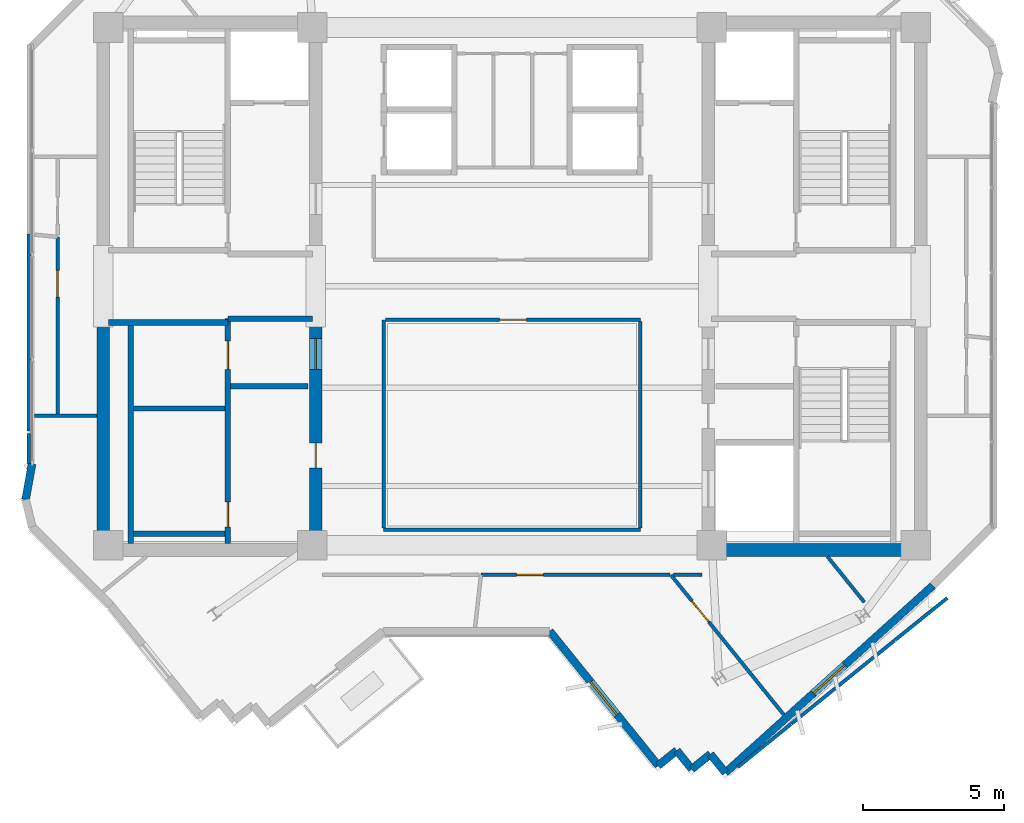
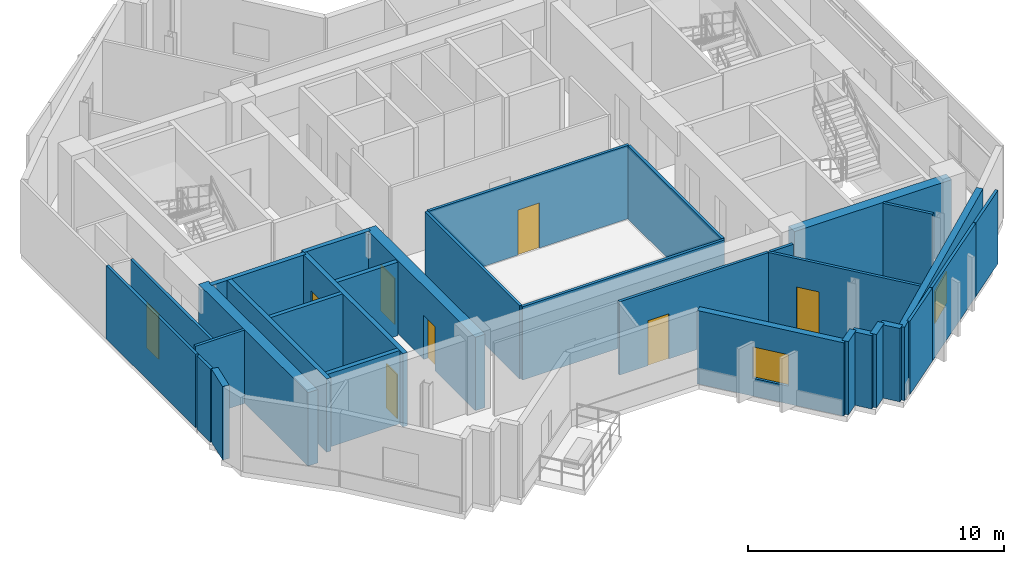
# One storey, part 6 of 11: 32 walls, 8 doors, 2 windows, 10 openings.
"""IFC4 building model written with IfcOpenShell, lengths in metres."""

from ifc_helpers import new_model, si_unit, direction, frame, frame_2d, origin, place, context, subcontext, project, spatial, rectangle, extrude, source, transform, mapped, material, layer, layer_set, type_object, element, fill, save


model = new_model("IFC4")

# Units and contexts
model_context = context("Model", 3, precision=1e-05, world=origin(), true_north=direction((0.0, 1.0)))
body_context = subcontext(model_context, "Body", "Model", "MODEL_VIEW")
ifc_project = project(units=[si_unit("LENGTHUNIT", "METRE"), si_unit("AREAUNIT", "SQUARE_METRE"), si_unit("VOLUMEUNIT", "CUBIC_METRE"), si_unit("PLANEANGLEUNIT", "RADIAN"), si_unit("MASSUNIT", "GRAM", prefix="KILO")], contexts=[model_context])

# Site, building, storey
site_placement = place(None, origin())
site = spatial("IfcSite", under=ifc_project, at=site_placement, CompositionType="ELEMENT")
building_placement = place(site_placement, origin())
building = spatial("IfcBuilding", under=site, at=building_placement, Name="Zahravan Cultural Tower", CompositionType="ELEMENT")
storey_placement = place(building_placement, frame((0.0, 0.0, 284.10009765625)))
storey = spatial("IfcBuildingStorey", under=building, at=storey_placement, Name="L68", CompositionType="ELEMENT", Elevation=284.10009765625)

# Wall, openings, doors
ifc_material_1 = material(Name="Concrete C50/60", Category="concrete")
ifc_layer_1 = layer(ifc_material_1, 0.449951171875)
ifc_layer_set_1 = layer_set([ifc_layer_1], Name="Concrete C50/60")
wall_type_1 = type_object("IfcWallType", Name="CW-SHEAR-450-C50", PredefinedType="SHEAR", material=ifc_layer_set_1)
wall_1_placement = place(storey_placement, frame((29.02490234375, 17.39990234375, 0.0), z_axis=(0.0, 0.0, 1.0), x_axis=(0.0, 1.0, 0.0)))
wall_1 = element("IfcWall", 1, at=wall_1_placement, inside=storey, type_object=wall_type_1, Name="L68 Core Shear Wall CW-W-ES-L68", PredefinedType="SHEAR", context=body_context, shape_type="SweptSolid", body=[
    extrude(rectangle(XDim=8.550048828125, YDim=0.449951171875, at=frame_2d((4.27490234375, 0.0))), origin(), (0.0, 0.0, 1.0), 3.5),
])
opening_1_placement = place(wall_1_placement, frame((6.64990234375, 0.0, 0.0)))
opening_1 = element("IfcOpeningElement", 2, at=opening_1_placement, cuts=wall_1, Name="Opening D-L68-08", PredefinedType="OPENING", context=body_context, shape_type="SweptSolid", body=[
    extrude(rectangle(XDim=1.10009765625, YDim=2.199951171875, at=frame_2d((0.550048828125, 1.10009765625))), frame((0.0, 0.23486328125, 0.0), z_axis=(0.0, -1.0, 0.0), x_axis=(1.0, 0.0, 0.0)), (0.0, 0.0, 1.0), 0.469970703125),
])
opening_2_placement = place(wall_1_placement, frame((3.14990234375, 0.0, 0.0)))
opening_2 = element("IfcOpeningElement", 3, at=opening_2_placement, cuts=wall_1, Name="Opening D-L68-10", PredefinedType="OPENING", context=body_context, shape_type="SweptSolid", body=[
    extrude(rectangle(XDim=0.8798828125, YDim=2.10009765625, at=frame_2d((0.43994140625, 1.050048828125))), frame((0.0, 0.23486328125, 0.0), z_axis=(0.0, -1.0, 0.0), x_axis=(1.0, 0.0, 0.0)), (0.0, 0.0, 1.0), 0.469970703125),
])
ifc_material_2 = material(Name="Steel ASTM A572 Grade 50", Category="steel")
door_type_1 = type_object("IfcDoorType", Name="DR-LOBBY-1100", OperationType="NOTDEFINED", PredefinedType="DOOR", material=ifc_material_2)
shared_shape_1 = source(origin(), body_context, "Body", "SweptSolid", [
    extrude(rectangle(XDim=1.10009765625, YDim=2.199951171875, at=frame_2d((0.550048828125, 1.10009765625))), frame((0.0, 0.02490234375, 0.0), z_axis=(0.0, -1.0, 0.0), x_axis=(1.0, 0.0, 0.0)), (0.0, 0.0, 1.0), 0.050048828125),
])
door_1_placement = place(opening_1_placement, origin())
door_1 = element("IfcDoor", 4, at=door_1_placement, inside=storey, type_object=door_type_1, Name="L68 Door D-L68-08", OperationType="SINGLE_SWING_LEFT", OverallHeight=2.199951171875, OverallWidth=1.10009765625, PredefinedType="DOOR", context=body_context, shape_type="MappedRepresentation", body=[
    mapped(shared_shape_1, transform((0.0, 0.0, 0.0), x_axis=(1.0, 0.0, 0.0), y_axis=(0.0, 1.0, 0.0), z_axis=(0.0, 0.0, 1.0), scale=1.0)),
])
fill(opening_1, door_1)
door_type_2 = type_object("IfcDoorType", Name="DR-SVC-880", OperationType="NOTDEFINED", PredefinedType="DOOR", material=ifc_material_2)
shared_shape_2 = source(origin(), body_context, "Body", "SweptSolid", [
    extrude(rectangle(XDim=0.8798828125, YDim=2.10009765625, at=frame_2d((0.43994140625, 1.050048828125))), frame((0.0, 0.02490234375, 0.0), z_axis=(0.0, -1.0, 0.0), x_axis=(1.0, 0.0, 0.0)), (0.0, 0.0, 1.0), 0.050048828125),
])
door_2_placement = place(opening_2_placement, origin())
door_2 = element("IfcDoor", 5, at=door_2_placement, inside=storey, type_object=door_type_2, Name="L68 Door D-L68-10", OperationType="SINGLE_SWING_LEFT", OverallHeight=2.10009765625, OverallWidth=0.8798828125, PredefinedType="DOOR", context=body_context, shape_type="MappedRepresentation", body=[
    mapped(shared_shape_2, transform((0.0, 0.0, 0.0), x_axis=(1.0, 0.0, 0.0), y_axis=(0.0, 1.0, 0.0), z_axis=(0.0, 0.0, 1.0), scale=1.0)),
])
fill(opening_2, door_2)

# Wall, opening, window
ifc_material_3 = material(Name="Precast concrete C40/50", Category="concrete")
ifc_layer_2 = layer(ifc_material_3, 0.280029296875)
ifc_layer_set_2 = layer_set([ifc_layer_2], Name="Precast concrete C40/50")
wall_type_2 = type_object("IfcWallType", Name="EW-TC-280", PredefinedType="SOLIDWALL", material=ifc_layer_set_2)
wall_2_placement = place(storey_placement, frame((50.9638671875, 16.36181640625, 0.0), z_axis=(0.0, 0.0, 1.0), x_axis=(-0.742587457262, -0.669749108486, 0.0)))
wall_2 = element("IfcWall", 6, at=wall_2_placement, inside=storey, type_object=wall_type_2, Name="L68 Exterior Masonry Frame Wall 19", PredefinedType="SOLIDWALL", context=body_context, shape_type="SweptSolid", body=[
    extrude(rectangle(XDim=9.934814453125, YDim=0.280029296875, at=frame_2d((4.96728515625, 0.0))), origin(), (0.0, 0.0, 1.0), 3.5),
])
opening_3_placement = place(wall_2_placement, frame((4.217041015625, 0.0, 0.85009765625)))
opening_3 = element("IfcOpeningElement", 7, at=opening_3_placement, cuts=wall_2, Name="Opening WN-03", PredefinedType="OPENING", context=body_context, shape_type="SweptSolid", body=[
    extrude(rectangle(XDim=1.5, YDim=1.5, at=frame_2d((0.75, 0.75))), frame((0.0, 0.14990234375, 0.0), z_axis=(0.0, -1.0, 0.0), x_axis=(1.0, 0.0, 0.0)), (0.0, 0.0, 1.0), 0.300048828125),
])
ifc_material_4 = material(Name="Low-E solar-control double glazing", Category="glass")
window_type = type_object("IfcWindowType", Name="WN-REC-1500X1500", PartitioningType="SINGLE_PANEL", PredefinedType="WINDOW", material=ifc_material_4)
shared_shape_3 = source(origin(), body_context, "Body", "SweptSolid", [
    extrude(rectangle(XDim=1.5, YDim=1.5, at=frame_2d((0.75, 0.75))), frame((0.0, 0.030029296875, 0.0), z_axis=(0.0, -1.0, 0.0), x_axis=(1.0, 0.0, 0.0)), (0.0, 0.0, 1.0), 0.06005859375),
])
window_1_placement = place(opening_3_placement, origin())
window_1 = element("IfcWindow", 8, at=window_1_placement, inside=storey, type_object=window_type, Name="L68 Recessed Solar Window 06", OverallHeight=1.5, OverallWidth=1.5, PartitioningType="SINGLE_PANEL", PredefinedType="WINDOW", context=body_context, shape_type="MappedRepresentation", body=[
    mapped(shared_shape_3, transform((0.0, 0.0, 0.0), x_axis=(1.0, 0.0, 0.0), y_axis=(0.0, 1.0, 0.0), z_axis=(0.0, 0.0, 1.0), scale=1.0)),
])
fill(opening_3, window_1)

wall_3_placement = place(storey_placement, frame((41.19580078125, 9.962646484375, 0.0), z_axis=(0.0, 0.0, 1.0), x_axis=(-0.628194566809, 0.778056287316, 0.0)))
wall_3 = element("IfcWall", 9, at=wall_3_placement, inside=storey, type_object=wall_type_2, Name="L68 Exterior Masonry Frame Wall 24", PredefinedType="SOLIDWALL", context=body_context, shape_type="SweptSolid", body=[
    extrude(rectangle(XDim=6.14013671875, YDim=0.280029296875, at=frame_2d((3.070068359375, 0.0))), origin(), (0.0, 0.0, 1.0), 3.5),
])
opening_4_placement = place(wall_3_placement, frame((2.320068359375, 0.0, 0.85009765625)))
opening_4 = element("IfcOpeningElement", 10, at=opening_4_placement, cuts=wall_3, Name="Opening WN-03", PredefinedType="OPENING", context=body_context, shape_type="SweptSolid", body=[
    extrude(rectangle(XDim=1.5, YDim=1.5, at=frame_2d((0.75, 0.75))), frame((0.0, 0.14990234375, 0.0), z_axis=(0.0, -1.0, 0.0), x_axis=(1.0, 0.0, 0.0)), (0.0, 0.0, 1.0), 0.300048828125),
])
window_2_placement = place(opening_4_placement, origin())
window_2 = element("IfcWindow", 11, at=window_2_placement, inside=storey, type_object=window_type, Name="L68 Recessed Solar Window 07", OverallHeight=1.5, OverallWidth=1.5, PartitioningType="SINGLE_PANEL", PredefinedType="WINDOW", context=body_context, shape_type="MappedRepresentation", body=[
    mapped(shared_shape_3, transform((0.0, 0.0, 0.0), x_axis=(1.0, 0.0, 0.0), y_axis=(0.0, 1.0, 0.0), z_axis=(0.0, 0.0, 1.0), scale=1.0)),
])
fill(opening_4, window_2)

# Wall, opening, door
ifc_material_5 = material(Name="Gypsum plasterboard partition")
ifc_layer_3 = layer(ifc_material_5, 0.125)
ifc_layer_set_3 = layer_set([ifc_layer_3], Name="Gypsum plasterboard partition")
wall_type_3 = type_object("IfcWallType", Name="W-PART-125", PredefinedType="PARTITIONING", material=ifc_layer_set_3)
wall_4_placement = place(storey_placement, frame((19.85009765625, 28.753662109375, 0.0), z_axis=(0.0, 0.0, 1.0), x_axis=(0.000153721992, -0.999999988185, 0.0)))
wall_4 = element("IfcWall", 12, at=wall_4_placement, inside=storey, type_object=wall_type_3, Name="L68 Interior Wall 049", PredefinedType="PARTITIONING", context=body_context, shape_type="SweptSolid", body=[
    extrude(rectangle(XDim=6.352783203125, YDim=0.125, at=frame_2d((3.17626953125, 0.0))), origin(), (0.0, 0.0, 1.0), 3.5),
])
opening_5_placement = place(wall_4_placement, frame((1.188720703125, 0.0, 0.0)))
opening_5 = element("IfcOpeningElement", 13, at=opening_5_placement, cuts=wall_4, Name="Opening D-L68-21", PredefinedType="OPENING", context=body_context, shape_type="SweptSolid", body=[
    extrude(rectangle(XDim=0.949951171875, YDim=2.14990234375, at=frame_2d((0.47509765625, 1.074951171875))), frame((0.0, 0.072509765625, 0.0), z_axis=(0.0, -1.0, 0.0), x_axis=(1.0, 0.0, 0.0)), (0.0, 0.0, 1.0), 0.14501953125),
])
ifc_material_6 = material(Name="Anodised bronze-aluminium mullion", Category="aluminium")
door_type_3 = type_object("IfcDoorType", Name="DR-ROOM-950", OperationType="NOTDEFINED", PredefinedType="DOOR", material=ifc_material_6)
shared_shape_4 = source(origin(), body_context, "Body", "SweptSolid", [
    extrude(rectangle(XDim=0.949951171875, YDim=2.14990234375, at=frame_2d((0.47509765625, 1.074951171875))), frame((0.0, 0.02490234375, 0.0), z_axis=(0.0, -1.0, 0.0), x_axis=(1.0, 0.0, 0.0)), (0.0, 0.0, 1.0), 0.050048828125),
])
door_3_placement = place(opening_5_placement, origin())
door_3 = element("IfcDoor", 14, at=door_3_placement, inside=storey, type_object=door_type_3, Name="L68 Door D-L68-21", OperationType="SINGLE_SWING_RIGHT", OverallHeight=2.14990234375, OverallWidth=0.949951171875, PredefinedType="DOOR", context=body_context, shape_type="MappedRepresentation", body=[
    mapped(shared_shape_4, transform((0.0, 0.0, 0.0), x_axis=(1.0, 0.0, 0.0), y_axis=(0.0, 1.0, 0.0), z_axis=(0.0, 0.0, 1.0), scale=1.0)),
])
fill(opening_5, door_3)

wall_5_placement = place(storey_placement, frame((45.659423828125, 11.772705078125, 0.0), z_axis=(0.0, 0.0, 1.0), x_axis=(-0.628191114615, 0.778059074569, 0.0)))
wall_5 = element("IfcWall", 15, at=wall_5_placement, inside=storey, type_object=wall_type_3, Name="L68 Interior Wall 075", PredefinedType="PARTITIONING", context=body_context, shape_type="SweptSolid", body=[
    extrude(rectangle(XDim=6.38427734375, YDim=0.125, at=frame_2d((3.192138671875, 0.0))), origin(), (0.0, 0.0, 1.0), 3.5),
])
opening_6_placement = place(wall_5_placement, frame((4.238525390625, 0.0, 0.0)))
opening_6 = element("IfcOpeningElement", 16, at=opening_6_placement, cuts=wall_5, Name="Opening D-L68-26", PredefinedType="OPENING", context=body_context, shape_type="SweptSolid", body=[
    extrude(rectangle(XDim=0.949951171875, YDim=2.14990234375, at=frame_2d((0.47509765625, 1.074951171875))), frame((0.0, 0.072509765625, 0.0), z_axis=(0.0, -1.0, 0.0), x_axis=(1.0, 0.0, 0.0)), (0.0, 0.0, 1.0), 0.14501953125),
])
door_4_placement = place(opening_6_placement, origin())
door_4 = element("IfcDoor", 17, at=door_4_placement, inside=storey, type_object=door_type_3, Name="L68 Door D-L68-26", OperationType="SINGLE_SWING_LEFT", OverallHeight=2.14990234375, OverallWidth=0.949951171875, PredefinedType="DOOR", context=body_context, shape_type="MappedRepresentation", body=[
    mapped(shared_shape_4, transform((0.0, 0.0, 0.0), x_axis=(1.0, 0.0, 0.0), y_axis=(0.0, 1.0, 0.0), z_axis=(0.0, 0.0, 1.0), scale=1.0)),
])
fill(opening_6, door_4)

wall_6_placement = place(storey_placement, frame((34.896240234375, 16.739990234375, 0.0), z_axis=(0.0, 0.0, 1.0), x_axis=(1.0, 0.0, 0.0)))
wall_6 = element("IfcWall", 18, at=wall_6_placement, inside=storey, type_object=wall_type_3, Name="L68 Interior Wall 083", PredefinedType="PARTITIONING", context=body_context, shape_type="SweptSolid", body=[
    extrude(rectangle(XDim=6.72705078125, YDim=0.125, at=frame_2d((3.363525390625, 0.0))), origin(), (0.0, 0.0, 1.0), 3.5),
])
opening_7_placement = place(wall_6_placement, frame((1.27099609375, 0.0, 0.0)))
opening_7 = element("IfcOpeningElement", 19, at=opening_7_placement, cuts=wall_6, Name="Opening D-L68-23", PredefinedType="OPENING", context=body_context, shape_type="SweptSolid", body=[
    extrude(rectangle(XDim=0.949951171875, YDim=2.14990234375, at=frame_2d((0.47509765625, 1.074951171875))), frame((0.0, 0.072509765625, 0.0), z_axis=(0.0, -1.0, 0.0), x_axis=(1.0, 0.0, 0.0)), (0.0, 0.0, 1.0), 0.14501953125),
])
door_5_placement = place(opening_7_placement, origin())
door_5 = element("IfcDoor", 20, at=door_5_placement, inside=storey, type_object=door_type_3, Name="L68 Door D-L68-23", OperationType="SINGLE_SWING_RIGHT", OverallHeight=2.14990234375, OverallWidth=0.949951171875, PredefinedType="DOOR", context=body_context, shape_type="MappedRepresentation", body=[
    mapped(shared_shape_4, transform((0.0, 0.0, 0.0), x_axis=(1.0, 0.0, 0.0), y_axis=(0.0, 1.0, 0.0), z_axis=(0.0, 0.0, 1.0), scale=1.0)),
])
fill(opening_7, door_5)

wall_7_placement = place(storey_placement, frame((31.507568359375, 25.81005859375, 0.0), z_axis=(0.0, 0.0, 1.0), x_axis=(1.0, 0.0, 0.0)))
wall_7 = element("IfcWall", 21, at=wall_7_placement, inside=storey, type_object=wall_type_3, Name="L68 Interior Wall 090", PredefinedType="PARTITIONING", context=body_context, shape_type="SweptSolid", body=[
    extrude(rectangle(XDim=9.052490234375, YDim=0.125, at=frame_2d((4.5263671875, 0.0))), origin(), (0.0, 0.0, 1.0), 3.5),
])
opening_8_placement = place(wall_7_placement, frame((4.05126953125, 0.0, 0.0)))
opening_8 = element("IfcOpeningElement", 22, at=opening_8_placement, cuts=wall_7, Name="Opening D-L68-12", PredefinedType="OPENING", context=body_context, shape_type="SweptSolid", body=[
    extrude(rectangle(XDim=0.949951171875, YDim=2.14990234375, at=frame_2d((0.47509765625, 1.074951171875))), frame((0.0, 0.072509765625, 0.0), z_axis=(0.0, -1.0, 0.0), x_axis=(1.0, 0.0, 0.0)), (0.0, 0.0, 1.0), 0.14501953125),
])
door_6_placement = place(opening_8_placement, origin())
door_6 = element("IfcDoor", 23, at=door_6_placement, inside=storey, type_object=door_type_3, Name="L68 Door D-L68-12", OperationType="SINGLE_SWING_LEFT", OverallHeight=2.14990234375, OverallWidth=0.949951171875, PredefinedType="DOOR", context=body_context, shape_type="MappedRepresentation", body=[
    mapped(shared_shape_4, transform((0.0, 0.0, 0.0), x_axis=(1.0, 0.0, 0.0), y_axis=(0.0, 1.0, 0.0), z_axis=(0.0, 0.0, 1.0), scale=1.0)),
])
fill(opening_8, door_6)

# Wall, openings, doors
ifc_material_7 = material(Name="Concrete C45/55", Category="concrete")
ifc_layer_4 = layer(ifc_material_7, 0.199951171875)
ifc_layer_set_4 = layer_set([ifc_layer_4], Name="Concrete C45/55")
wall_type_4 = type_object("IfcWallType", Name="W-SHAFT-200", PredefinedType="SOLIDWALL", material=ifc_layer_set_4)
wall_8_placement = place(storey_placement, frame((25.89990234375, 17.85009765625, 0.0), z_axis=(0.0, 0.0, 1.0), x_axis=(0.0, 1.0, 0.0)))
wall_8 = element("IfcWall", 24, at=wall_8_placement, inside=storey, type_object=wall_type_4, Name="L68 Interior Wall 005", PredefinedType="SOLIDWALL", context=body_context, shape_type="SweptSolid", body=[
    extrude(rectangle(XDim=8.0, YDim=0.199951171875, at=frame_2d((4.0, 0.0))), origin(), (0.0, 0.0, 1.0), 3.5),
])
opening_9_placement = place(wall_8_placement, frame((6.199951171875, 0.0, 0.0)))
opening_9 = element("IfcOpeningElement", 25, at=opening_9_placement, cuts=wall_8, Name="Opening D-L68-04", PredefinedType="OPENING", context=body_context, shape_type="SweptSolid", body=[
    extrude(rectangle(XDim=1.0, YDim=2.14990234375, at=frame_2d((0.5, 1.074951171875))), frame((0.0, 0.10986328125, 0.0), z_axis=(0.0, -1.0, 0.0), x_axis=(1.0, 0.0, 0.0)), (0.0, 0.0, 1.0), 0.219970703125),
])
opening_10_placement = place(wall_8_placement, frame((0.60009765625, 0.0, 0.0)))
opening_10 = element("IfcOpeningElement", 26, at=opening_10_placement, cuts=wall_8, Name="Opening D-L68-05", PredefinedType="OPENING", context=body_context, shape_type="SweptSolid", body=[
    extrude(rectangle(XDim=0.8798828125, YDim=2.10009765625, at=frame_2d((0.43994140625, 1.050048828125))), frame((0.0, 0.10986328125, 0.0), z_axis=(0.0, -1.0, 0.0), x_axis=(1.0, 0.0, 0.0)), (0.0, 0.0, 1.0), 0.219970703125),
])
door_7_placement = place(opening_10_placement, origin())
door_7 = element("IfcDoor", 27, at=door_7_placement, inside=storey, type_object=door_type_2, Name="L68 Door D-L68-05", OperationType="SINGLE_SWING_RIGHT", OverallHeight=2.10009765625, OverallWidth=0.8798828125, PredefinedType="DOOR", context=body_context, shape_type="MappedRepresentation", body=[
    mapped(shared_shape_2, transform((0.0, 0.0, 0.0), x_axis=(1.0, 0.0, 0.0), y_axis=(0.0, 1.0, 0.0), z_axis=(0.0, 0.0, 1.0), scale=1.0)),
])
fill(opening_10, door_7)
door_type_4 = type_object("IfcDoorType", Name="DR-COMP-1000", OperationType="NOTDEFINED", PredefinedType="DOOR", material=ifc_material_2)
shared_shape_5 = source(origin(), body_context, "Body", "SweptSolid", [
    extrude(rectangle(XDim=1.0, YDim=2.14990234375, at=frame_2d((0.5, 1.074951171875))), frame((0.0, 0.02490234375, 0.0), z_axis=(0.0, -1.0, 0.0), x_axis=(1.0, 0.0, 0.0)), (0.0, 0.0, 1.0), 0.050048828125),
])
door_8_placement = place(opening_9_placement, origin())
door_8 = element("IfcDoor", 28, at=door_8_placement, inside=storey, type_object=door_type_4, Name="L68 Door D-L68-04", OperationType="SINGLE_SWING_LEFT", OverallHeight=2.14990234375, OverallWidth=1.0, PredefinedType="DOOR", context=body_context, shape_type="MappedRepresentation", body=[
    mapped(shared_shape_5, transform((0.0, 0.0, 0.0), x_axis=(1.0, 0.0, 0.0), y_axis=(0.0, 1.0, 0.0), z_axis=(0.0, 0.0, 1.0), scale=1.0)),
])
fill(opening_9, door_8)

# Walls
shared_shape_6 = source(origin(), body_context, "Body", "SweptSolid", [
    extrude(rectangle(XDim=8.550048828125, YDim=0.449951171875, at=frame_2d((4.27490234375, 0.0))), origin(), (0.0, 0.0, 1.0), 3.5),
])
wall_9_placement = place(storey_placement, frame((21.47509765625, 17.39990234375, 0.0), z_axis=(0.0, 0.0, 1.0), x_axis=(0.0, 1.0, 0.0)))
element("IfcWall", 29, at=wall_9_placement, inside=storey, type_object=wall_type_1, Name="L68 Core Shear Wall CW-W-WS-L68", PredefinedType="SHEAR", context=body_context, shape_type="MappedRepresentation", body=[
    mapped(shared_shape_6, transform((0.0, 0.0, 0.0), x_axis=(1.0, 0.0, 0.0), y_axis=(0.0, 1.0, 0.0), z_axis=(0.0, 0.0, 1.0), scale=1.0)),
])
shared_shape_7 = source(origin(), body_context, "Body", "SweptSolid", [
    extrude(rectangle(XDim=7.10009765625, YDim=0.449951171875, at=frame_2d((3.550048828125, 0.0))), origin(), (0.0, 0.0, 1.0), 3.5),
])
wall_10_placement = place(storey_placement, frame((43.199951171875, 17.625, 0.0), z_axis=(0.0, 0.0, 1.0), x_axis=(1.0, 0.0, 0.0)))
element("IfcWall", 30, at=wall_10_placement, inside=storey, type_object=wall_type_1, Name="L68 Core Shear Wall CW-E-S-L68", PredefinedType="SHEAR", context=body_context, shape_type="MappedRepresentation", body=[
    mapped(shared_shape_7, transform((0.0, 0.0, 0.0), x_axis=(1.0, 0.0, 0.0), y_axis=(0.0, 1.0, 0.0), z_axis=(0.0, 0.0, 1.0), scale=1.0)),
])
shared_shape_8 = source(origin(), body_context, "Body", "SweptSolid", [
    extrude(rectangle(XDim=0.85009765625, YDim=0.280029296875, at=frame_2d((0.425048828125, 0.0))), origin(), (0.0, 0.0, 1.0), 3.5),
])
for number, where, z_axis, x_axis, name in (
    (31, (43.58642578125, 9.7080078125, 0.0), (0.0, 0.0, 1.0), (-0.628156579423, 0.778086956405, 0.0), "L68 Exterior Masonry Frame Wall 20"),
    (32, (43.052490234375, 10.369384765625, 0.0), (0.0, 0.0, 1.0), (-0.777946579095, -0.628330422687, 0.0), "L68 Exterior Masonry Frame Wall 21"),
    (33, (42.39111328125, 9.835205078125, 0.0), (0.0, 0.0, 1.0), (-0.628156579423, 0.778086956405, 0.0), "L68 Exterior Masonry Frame Wall 22"),
    (34, (41.857177734375, 10.49658203125, 0.0), (0.0, 0.0, 1.0), (-0.778086956405, -0.628156579423, 0.0), "L68 Exterior Masonry Frame Wall 23"),
):
    element("IfcWall", number, at=place(storey_placement, frame(where, z_axis=z_axis, x_axis=x_axis)), inside=storey, type_object=wall_type_2, Name=name, PredefinedType="SOLIDWALL", context=body_context, shape_type="MappedRepresentation", body=[
        mapped(shared_shape_8, transform((0.0, 0.0, 0.0), x_axis=(1.0, 0.0, 0.0), y_axis=(0.0, 1.0, 0.0), z_axis=(0.0, 0.0, 1.0), scale=1.0)),
    ])
shared_shape_9 = source(origin(), body_context, "Body", "SweptSolid", [
    extrude(rectangle(XDim=1.300537109375, YDim=0.280029296875, at=frame_2d((0.650390625, 0.0))), origin(), (0.0, 0.0, 1.0), 3.5),
])
wall_11_placement = place(storey_placement, frame((18.7080078125, 19.41357421875, 0.0), z_axis=(0.0, 0.0, 1.0), x_axis=(0.178323782993, 0.983971863632, 0.0)))
element("IfcWall", 35, at=wall_11_placement, inside=storey, type_object=wall_type_2, Name="L68 Exterior Masonry Frame Wall 34", PredefinedType="SOLIDWALL", context=body_context, shape_type="MappedRepresentation", body=[
    mapped(shared_shape_9, transform((0.0, 0.0, 0.0), x_axis=(1.0, 0.0, 0.0), y_axis=(0.0, 1.0, 0.0), z_axis=(0.0, 0.0, 1.0), scale=1.0)),
])
shared_shape_10 = source(origin(), body_context, "Body", "SweptSolid", [
    extrude(rectangle(XDim=7.869873046875, YDim=0.199951171875, at=frame_2d((3.93505859375, 0.0))), origin(), (0.0, 0.0, 1.0), 3.5),
])
wall_12_placement = place(storey_placement, frame((22.449951171875, 17.85009765625, 0.0), z_axis=(0.0, 0.0, 1.0), x_axis=(0.0, 1.0, 0.0)))
element("IfcWall", 36, at=wall_12_placement, inside=storey, type_object=wall_type_4, Name="L68 Interior Wall 001", PredefinedType="SOLIDWALL", context=body_context, shape_type="MappedRepresentation", body=[
    mapped(shared_shape_10, transform((0.0, 0.0, 0.0), x_axis=(1.0, 0.0, 0.0), y_axis=(0.0, 1.0, 0.0), z_axis=(0.0, 0.0, 1.0), scale=1.0)),
])
shared_shape_11 = source(origin(), body_context, "Body", "SweptSolid", [
    extrude(rectangle(XDim=4.25, YDim=0.199951171875, at=frame_2d((2.125, 0.0))), origin(), (0.0, 0.0, 1.0), 3.5),
])
wall_13_placement = place(storey_placement, frame((21.64990234375, 25.715087890625, 0.0), z_axis=(0.0, 0.0, 1.0), x_axis=(1.0, 0.0, 0.0)))
element("IfcWall", 37, at=wall_13_placement, inside=storey, type_object=wall_type_4, Name="L68 Interior Wall 009", PredefinedType="SOLIDWALL", context=body_context, shape_type="MappedRepresentation", body=[
    mapped(shared_shape_11, transform((0.0, 0.0, 0.0), x_axis=(1.0, 0.0, 0.0), y_axis=(0.0, 1.0, 0.0), z_axis=(0.0, 0.0, 1.0), scale=1.0)),
])
shared_shape_12 = source(origin(), body_context, "Body", "SweptSolid", [
    extrude(rectangle(XDim=3.0, YDim=0.199951171875, at=frame_2d((1.5, 0.0))), origin(), (0.0, 0.0, 1.0), 3.5),
])
wall_14_placement = place(storey_placement, frame((25.89990234375, 25.85009765625, 0.0), z_axis=(0.0, 0.0, 1.0), x_axis=(1.0, 0.0, 0.0)))
element("IfcWall", 38, at=wall_14_placement, inside=storey, type_object=wall_type_4, Name="L68 Interior Wall 010", PredefinedType="SOLIDWALL", context=body_context, shape_type="MappedRepresentation", body=[
    mapped(shared_shape_12, transform((0.0, 0.0, 0.0), x_axis=(1.0, 0.0, 0.0), y_axis=(0.0, 1.0, 0.0), z_axis=(0.0, 0.0, 1.0), scale=1.0)),
])
shared_shape_13 = source(origin(), body_context, "Body", "SweptSolid", [
    extrude(rectangle(XDim=3.25, YDim=0.199951171875, at=frame_2d((1.625, 0.0))), origin(), (0.0, 0.0, 1.0), 3.5),
])
wall_15_placement = place(storey_placement, frame((22.550048828125, 18.199951171875, 0.0), z_axis=(0.0, 0.0, 1.0), x_axis=(1.0, 0.0, 0.0)))
element("IfcWall", 39, at=wall_15_placement, inside=storey, type_object=wall_type_4, Name="L68 Interior Wall 019", PredefinedType="SOLIDWALL", context=body_context, shape_type="MappedRepresentation", body=[
    mapped(shared_shape_13, transform((0.0, 0.0, 0.0), x_axis=(1.0, 0.0, 0.0), y_axis=(0.0, 1.0, 0.0), z_axis=(0.0, 0.0, 1.0), scale=1.0)),
])
ifc_layer_5 = layer(ifc_material_5, 0.179931640625)
ifc_layer_set_5 = layer_set([ifc_layer_5], Name="Gypsum plasterboard partition")
wall_type_5 = type_object("IfcWallType", Name="W-COMP-180", PredefinedType="PARTITIONING", material=ifc_layer_set_5)
shared_shape_14 = source(origin(), body_context, "Body", "SweptSolid", [
    extrude(rectangle(XDim=3.25, YDim=0.179931640625, at=frame_2d((1.625, 0.0))), origin(), (0.0, 0.0, 1.0), 3.5),
])
wall_16_placement = place(storey_placement, frame((22.550048828125, 22.64990234375, 0.0), z_axis=(0.0, 0.0, 1.0), x_axis=(1.0, 0.0, 0.0)))
element("IfcWall", 40, at=wall_16_placement, inside=storey, type_object=wall_type_5, Name="L68 Interior Wall 021", PredefinedType="PARTITIONING", context=body_context, shape_type="MappedRepresentation", body=[
    mapped(shared_shape_14, transform((0.0, 0.0, 0.0), x_axis=(1.0, 0.0, 0.0), y_axis=(0.0, 1.0, 0.0), z_axis=(0.0, 0.0, 1.0), scale=1.0)),
])
shared_shape_15 = source(origin(), body_context, "Body", "SweptSolid", [
    extrude(rectangle(XDim=2.75, YDim=0.199951171875, at=frame_2d((1.375, 0.0))), origin(), (0.0, 0.0, 1.0), 3.5),
])
wall_17_placement = place(storey_placement, frame((26.0, 23.449951171875, 0.0), z_axis=(0.0, 0.0, 1.0), x_axis=(1.0, 0.0, 0.0)))
element("IfcWall", 41, at=wall_17_placement, inside=storey, type_object=wall_type_4, Name="L68 Interior Wall 024", PredefinedType="SOLIDWALL", context=body_context, shape_type="MappedRepresentation", body=[
    mapped(shared_shape_15, transform((0.0, 0.0, 0.0), x_axis=(1.0, 0.0, 0.0), y_axis=(0.0, 1.0, 0.0), z_axis=(0.0, 0.0, 1.0), scale=1.0)),
])
shared_shape_16 = source(origin(), body_context, "Body", "SweptSolid", [
    extrude(rectangle(XDim=4.72021484375, YDim=0.125, at=frame_2d((2.360107421875, 0.0))), origin(), (0.0, 0.0, 1.0), 3.5),
])
wall_18_placement = place(storey_placement, frame((49.598388671875, 14.40771484375, 0.0), z_axis=(0.0, 0.0, 1.0), x_axis=(-0.778024801452, -0.628233561922, 0.0)))
element("IfcWall", 42, at=wall_18_placement, inside=storey, type_object=wall_type_3, Name="L68 Interior Wall 074", PredefinedType="PARTITIONING", context=body_context, shape_type="MappedRepresentation", body=[
    mapped(shared_shape_16, transform((0.0, 0.0, 0.0), x_axis=(1.0, 0.0, 0.0), y_axis=(0.0, 1.0, 0.0), z_axis=(0.0, 0.0, 1.0), scale=1.0)),
])
shared_shape_17 = source(origin(), body_context, "Body", "SweptSolid", [
    extrude(rectangle(XDim=2.389892578125, YDim=0.125, at=frame_2d((1.19482421875, 0.0))), origin(), (0.0, 0.0, 1.0), 3.5),
])
wall_19_placement = place(storey_placement, frame((51.473388671875, 15.921630859375, 0.0), z_axis=(0.0, 0.0, 1.0), x_axis=(-0.778010315123, -0.628251501839, 0.0)))
element("IfcWall", 43, at=wall_19_placement, inside=storey, type_object=wall_type_3, Name="L68 Interior Wall 065", PredefinedType="PARTITIONING", context=body_context, shape_type="MappedRepresentation", body=[
    mapped(shared_shape_17, transform((0.0, 0.0, 0.0), x_axis=(1.0, 0.0, 0.0), y_axis=(0.0, 1.0, 0.0), z_axis=(0.0, 0.0, 1.0), scale=1.0)),
])
shared_shape_18 = source(origin(), body_context, "Body", "SweptSolid", [
    extrude(rectangle(XDim=7.402587890625, YDim=0.125, at=frame_2d((3.701171875, 0.0))), origin(), (0.0, 0.0, 1.0), 3.5),
])
wall_20_placement = place(storey_placement, frame((31.43994140625, 18.407470703125, 0.0), z_axis=(0.0, 0.0, 1.0), x_axis=(0.0, 1.0, 0.0)))
element("IfcWall", 44, at=wall_20_placement, inside=storey, type_object=wall_type_3, Name="L68 Interior Wall 089", PredefinedType="PARTITIONING", context=body_context, shape_type="MappedRepresentation", body=[
    mapped(shared_shape_18, transform((0.0, 0.0, 0.0), x_axis=(1.0, 0.0, 0.0), y_axis=(0.0, 1.0, 0.0), z_axis=(0.0, 0.0, 1.0), scale=1.0)),
])
shared_shape_19 = source(origin(), body_context, "Body", "SweptSolid", [
    extrude(rectangle(XDim=7.3349609375, YDim=0.125, at=frame_2d((3.66748046875, 0.0))), origin(), (0.0, 0.0, 1.0), 3.5),
])
wall_21_placement = place(storey_placement, frame((40.56005859375, 25.742431640625, 0.0), z_axis=(0.0, 0.0, 1.0), x_axis=(0.0, -1.0, 0.0)))
element("IfcWall", 45, at=wall_21_placement, inside=storey, type_object=wall_type_3, Name="L68 Interior Wall 091", PredefinedType="PARTITIONING", context=body_context, shape_type="MappedRepresentation", body=[
    mapped(shared_shape_19, transform((0.0, 0.0, 0.0), x_axis=(1.0, 0.0, 0.0), y_axis=(0.0, 1.0, 0.0), z_axis=(0.0, 0.0, 1.0), scale=1.0)),
])
shared_shape_20 = source(origin(), body_context, "Body", "SweptSolid", [
    extrude(rectangle(XDim=2.215087890625, YDim=0.125, at=frame_2d((1.107421875, 0.0))), origin(), (0.0, 0.0, 1.0), 3.5),
])
wall_22_placement = place(storey_placement, frame((19.030029296875, 22.401611328125, 0.0), z_axis=(0.0, 0.0, 1.0), x_axis=(0.999999702379, -0.000771519665, 0.0)))
element("IfcWall", 46, at=wall_22_placement, inside=storey, type_object=wall_type_3, Name="L68 Interior Wall 050", PredefinedType="PARTITIONING", context=body_context, shape_type="MappedRepresentation", body=[
    mapped(shared_shape_20, transform((0.0, 0.0, 0.0), x_axis=(1.0, 0.0, 0.0), y_axis=(0.0, 1.0, 0.0), z_axis=(0.0, 0.0, 1.0), scale=1.0)),
])
shared_shape_21 = source(origin(), body_context, "Body", "SweptSolid", [
    extrude(rectangle(XDim=1.065673828125, YDim=0.125, at=frame_2d((0.53271484375, 0.0))), origin(), (0.0, 0.0, 1.0), 3.5),
])
wall_23_placement = place(storey_placement, frame((18.820068359375, 20.710205078125, 0.0), z_axis=(0.0, 0.0, 1.0), x_axis=(0.0, 1.0, 0.0)))
element("IfcWall", 47, at=wall_23_placement, inside=storey, type_object=wall_type_3, Name="L68 Interior Wall 052", PredefinedType="PARTITIONING", context=body_context, shape_type="MappedRepresentation", body=[
    mapped(shared_shape_21, transform((0.0, 0.0, 0.0), x_axis=(1.0, 0.0, 0.0), y_axis=(0.0, 1.0, 0.0), z_axis=(0.0, 0.0, 1.0), scale=1.0)),
])
shared_shape_22 = source(origin(), body_context, "Body", "SweptSolid", [
    extrude(rectangle(XDim=6.99853515625, YDim=0.125, at=frame_2d((3.499267578125, 0.0))), origin(), (0.0, 0.0, 1.0), 3.5),
])
wall_24_placement = place(storey_placement, frame((18.820068359375, 21.859619140625, 0.0), z_axis=(0.0, 0.0, 1.0), x_axis=(0.0, 1.0, 0.0)))
element("IfcWall", 48, at=wall_24_placement, inside=storey, type_object=wall_type_3, Name="L68 Interior Wall 053", PredefinedType="PARTITIONING", context=body_context, shape_type="MappedRepresentation", body=[
    mapped(shared_shape_22, transform((0.0, 0.0, 0.0), x_axis=(1.0, 0.0, 0.0), y_axis=(0.0, 1.0, 0.0), z_axis=(0.0, 0.0, 1.0), scale=1.0)),
])
shared_shape_23 = source(origin(), body_context, "Body", "SweptSolid", [
    extrude(rectangle(XDim=2.08935546875, YDim=0.125, at=frame_2d((1.044677734375, 0.0))), origin(), (0.0, 0.0, 1.0), 3.5),
])
wall_25_placement = place(storey_placement, frame((48.524658203125, 15.769287109375, 0.0), z_axis=(0.0, 0.0, 1.0), x_axis=(-0.628165745158, 0.778079556735, 0.0)))
element("IfcWall", 49, at=wall_25_placement, inside=storey, type_object=wall_type_3, Name="L68 Interior Wall 061", PredefinedType="PARTITIONING", context=body_context, shape_type="MappedRepresentation", body=[
    mapped(shared_shape_23, transform((0.0, 0.0, 0.0), x_axis=(1.0, 0.0, 0.0), y_axis=(0.0, 1.0, 0.0), z_axis=(0.0, 0.0, 1.0), scale=1.0)),
])
shared_shape_24 = source(origin(), body_context, "Body", "SweptSolid", [
    extrude(rectangle(XDim=1.011962890625, YDim=0.125, at=frame_2d((0.505859375, 0.0))), origin(), (0.0, 0.0, 1.0), 3.5),
])
wall_26_placement = place(storey_placement, frame((41.735595703125, 16.739990234375, 0.0), z_axis=(0.0, 0.0, 1.0), x_axis=(0.999999738083, 0.000723763381, 0.0)))
element("IfcWall", 50, at=wall_26_placement, inside=storey, type_object=wall_type_3, Name="L68 Interior Wall 076", PredefinedType="PARTITIONING", context=body_context, shape_type="MappedRepresentation", body=[
    mapped(shared_shape_24, transform((0.0, 0.0, 0.0), x_axis=(1.0, 0.0, 0.0), y_axis=(0.0, 1.0, 0.0), z_axis=(0.0, 0.0, 1.0), scale=1.0)),
])
shared_shape_25 = source(origin(), body_context, "Body", "SweptSolid", [
    extrude(rectangle(XDim=2.43359375, YDim=0.125, at=frame_2d((1.216796875, 0.0))), origin(), (0.0, 0.0, 1.0), 3.5),
])
wall_27_placement = place(storey_placement, frame((45.910400390625, 11.429931640625, 0.0), z_axis=(0.0, 0.0, 1.0), x_axis=(-0.778061870062, -0.628187652183, 0.0)))
element("IfcWall", 51, at=wall_27_placement, inside=storey, type_object=wall_type_3, Name="L68 Interior Wall 084", PredefinedType="PARTITIONING", context=body_context, shape_type="MappedRepresentation", body=[
    mapped(shared_shape_25, transform((0.0, 0.0, 0.0), x_axis=(1.0, 0.0, 0.0), y_axis=(0.0, 1.0, 0.0), z_axis=(0.0, 0.0, 1.0), scale=1.0)),
])
shared_shape_26 = source(origin(), body_context, "Body", "SweptSolid", [
    extrude(rectangle(XDim=9.1201171875, YDim=0.125, at=frame_2d((4.56005859375, 0.0))), origin(), (0.0, 0.0, 1.0), 3.5),
])
wall_28_placement = place(storey_placement, frame((40.56005859375, 18.340087890625, 0.0), z_axis=(0.0, 0.0, 1.0), x_axis=(-1.0, 0.0, 0.0)))
element("IfcWall", 52, at=wall_28_placement, inside=storey, type_object=wall_type_3, Name="L68 Interior Wall 088", PredefinedType="PARTITIONING", context=body_context, shape_type="MappedRepresentation", body=[
    mapped(shared_shape_26, transform((0.0, 0.0, 0.0), x_axis=(1.0, 0.0, 0.0), y_axis=(0.0, 1.0, 0.0), z_axis=(0.0, 0.0, 1.0), scale=1.0)),
])

save(model, "model.ifc")
